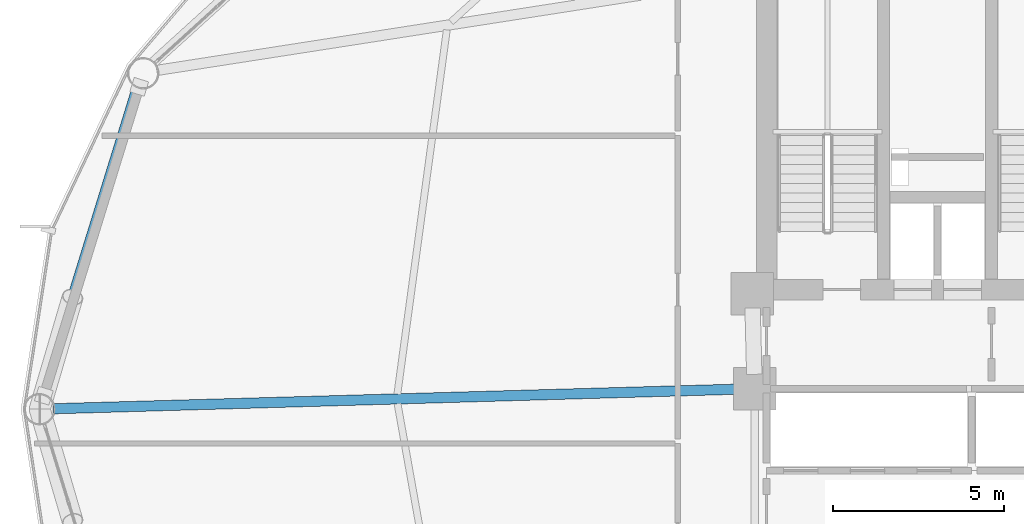
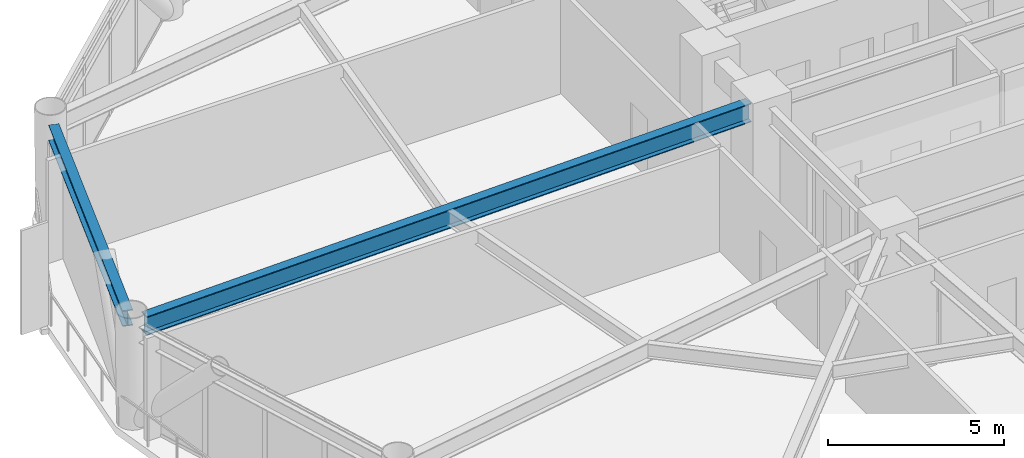
# One storey, part 9 of 25: 2 beams.
"""IFC4 building model written with IfcOpenShell, lengths in metres."""

from ifc_helpers import new_model, si_unit, direction, frame, origin, origin_2d, place, context, subcontext, project, spatial, i_section, extrude, material, material_profile, profile_set, type_object, element, save


model = new_model("IFC4")

# Units and contexts
model_context = context("Model", 3, precision=1e-05, world=origin(), true_north=direction((0.0, 1.0)))
body_context = subcontext(model_context, "Body", "Model", "MODEL_VIEW")
ifc_project = project(units=[si_unit("LENGTHUNIT", "METRE"), si_unit("AREAUNIT", "SQUARE_METRE"), si_unit("VOLUMEUNIT", "CUBIC_METRE"), si_unit("PLANEANGLEUNIT", "RADIAN"), si_unit("MASSUNIT", "GRAM", prefix="KILO")], contexts=[model_context])

# Site, building, storey
site_placement = place(None, origin())
site = spatial("IfcSite", under=ifc_project, at=site_placement, CompositionType="ELEMENT")
building_placement = place(site_placement, origin())
building = spatial("IfcBuilding", under=site, at=building_placement, Name="Varnakorn Sky Granary", CompositionType="ELEMENT")
storey_placement = place(building_placement, frame((0.0, 0.0, 74.39990234375)))
storey = spatial("IfcBuildingStorey", under=building, at=storey_placement, Name="L18", CompositionType="ELEMENT", Elevation=74.39990234375)

# Beams
ifc_material = material(Name="Steel S355JR", Category="steel")
ifc_material_profile_1 = material_profile(ifc_material, i_section(OverallWidth=0.300048828125, OverallDepth=0.64990234375, WebThickness=0.01611328125, FlangeThickness=0.031005859375, at=origin_2d()), Name="HE 650 B")
ifc_profile_set_1 = profile_set([ifc_material_profile_1], Name="Steel S355JR")
beam_type_1 = type_object("IfcBeamType", Name="BM-RAD-Z1", PredefinedType="BEAM", material=ifc_profile_set_1)
beam_1_placement = place(storey_placement, frame((-2.769775390625, 0.587890625, 3.22509765625), z_axis=(-0.99959076823, -0.028605874743, 0.0), x_axis=(0.028605874743, -0.99959076823, 0.0)))
element("IfcBeam", 1, at=beam_1_placement, inside=storey, type_object=beam_type_1, Name="Radial Floor Girder RG07 L18", PredefinedType="BEAM", context=body_context, shape_type="SweptSolid", body=[
    extrude(i_section(OverallWidth=0.300048828125, OverallDepth=0.64990234375, WebThickness=0.01611328125, FlangeThickness=0.031005859375, at=origin_2d()), origin(), (0.0, 0.0, 1.0), 20.107666015625),
])
ifc_material_profile_2 = material_profile(ifc_material, i_section(OverallWidth=0.300048828125, OverallDepth=0.550048828125, WebThickness=0.014892578125, FlangeThickness=0.029052734375, at=origin_2d()), Name="HE 550 B")
ifc_profile_set_2 = profile_set([ifc_material_profile_2], Name="Steel S355JR")
beam_type_2 = type_object("IfcBeamType", Name="BM-SPD-Z1", PredefinedType="SPANDREL", material=ifc_profile_set_2)
beam_2_placement = place(storey_placement, frame((-20.40234375, 9.419677734375, 3.275146484375), z_axis=(-0.295047656432, -0.955482538006, 0.0), x_axis=(0.955482538006, -0.295047656432, 0.0)))
element("IfcBeam", 2, at=beam_2_placement, inside=storey, type_object=beam_type_2, Name="Perimeter Spandrel Ring Beam RB06 L18", PredefinedType="SPANDREL", context=body_context, shape_type="SweptSolid", body=[
    extrude(i_section(OverallWidth=0.300048828125, OverallDepth=0.550048828125, WebThickness=0.014892578125, FlangeThickness=0.029052734375, at=origin_2d()), origin(), (0.0, 0.0, 1.0), 9.41650390625),
])

save(model, "model.ifc")
